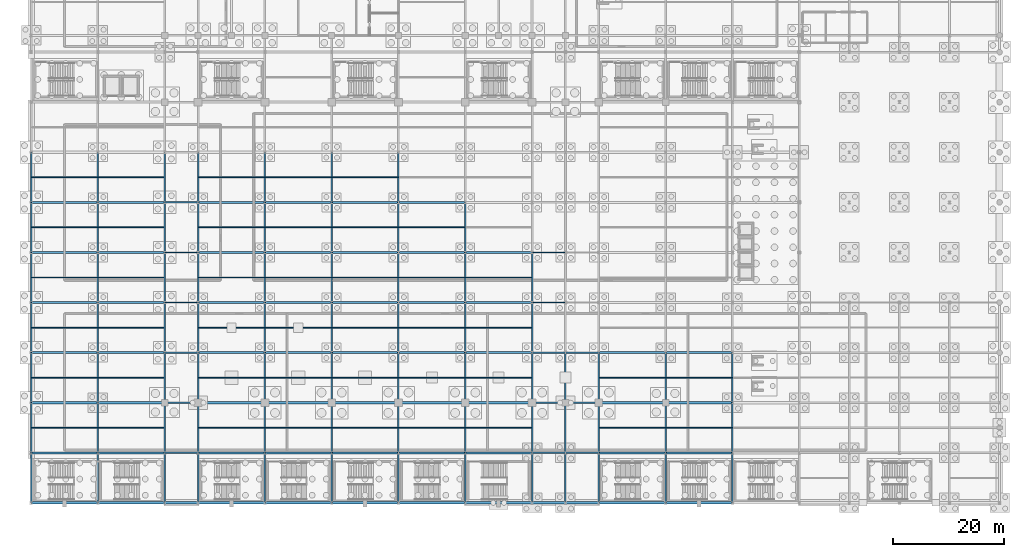
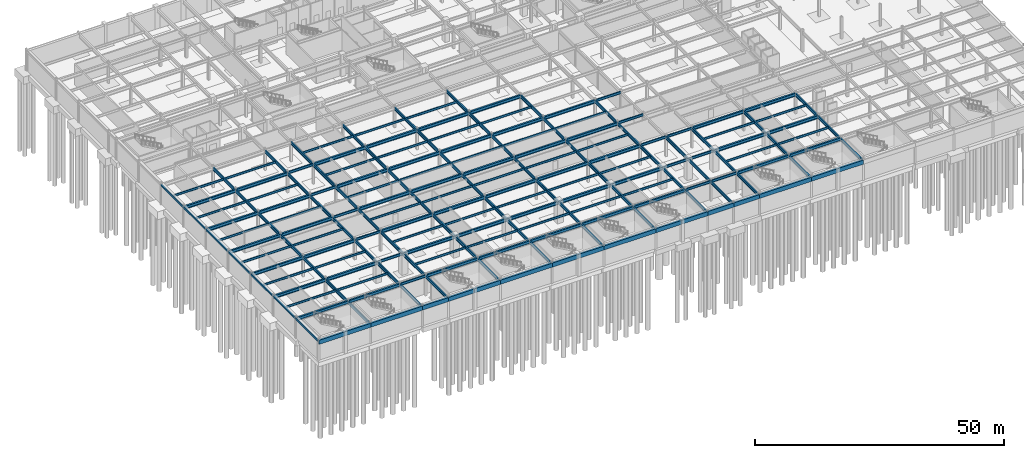
# One storey, part 18 of 47: 190 beams.
"""IFC4 building model written with IfcOpenShell, lengths in metres."""

import ifcopenshell
import ifcopenshell.guid

model = None  # the IFC model being written
_history = None  # IfcOwnerHistory: only IFC2X3 demands one
_inside = {}  # id of a spatial element -> (the spatial element, [elements in it])
_under = {}  # id of a project, library or spatial element -> (it, [spatial elements below it])
_declared = {}  # id of a project -> (the project, [libraries it declares])
_typed = {}  # id of a type object -> (the type object, [elements of that type])
_made_of = {}  # id of a material, layer set ... -> (it, [elements and type objects made of it])


def new_model(schema):
    """Start an empty IFC model of exactly this schema.

    Asked for "IFC4X3", IfcOpenShell would pick the latest addendum, in which some entities
    have other attributes; the version numbers below select the first issue.
    IFC2X3 requires an IfcOwnerHistory on every rooted entity: one is made here for all.
    """
    global model, _history
    if schema == "IFC4X3":
        model = ifcopenshell.file(schema_version=(4, 3, 0, 0))
    else:
        model = ifcopenshell.file(schema=schema)
    _inside.clear()
    _under.clear()
    _declared.clear()
    _typed.clear()
    _made_of.clear()
    _history = None
    if model.schema == "IFC2X3":
        org = make("IfcOrganization", Name="unknown")
        user = make(
            "IfcPersonAndOrganization",
            ThePerson=make("IfcPerson", FamilyName="unknown"),
            TheOrganization=org,
        )
        app = make(
            "IfcApplication",
            ApplicationDeveloper=org,
            Version="unknown",
            ApplicationFullName="unknown",
            ApplicationIdentifier="unknown",
        )
        _history = make(
            "IfcOwnerHistory",
            OwningUser=user,
            OwningApplication=app,
            ChangeAction="ADDED",
            CreationDate=0,
        )
    return model


def make(cls, **values):
    """One entity of the class cls with the attributes given. An attribute that is None is left unset."""
    return model.create_entity(
        cls, **{name: value for name, value in values.items() if value is not None}
    )


def rooted(cls, **values):
    """An entity with a GlobalId (a new one), such as an element, a storey or a relation."""
    return make(cls, GlobalId=ifcopenshell.guid.new(), OwnerHistory=_history, **values)


def si_unit(unit_type, name, prefix=None):
    """IfcSIUnit, for example si_unit("LENGTHUNIT", "METRE", prefix="MILLI")."""
    return make("IfcSIUnit", UnitType=unit_type, Prefix=prefix, Name=name)


def assignment(units):
    """IfcUnitAssignment: the units of a project."""
    return None if units is None else make("IfcUnitAssignment", Units=units)


def point(xyz):
    """IfcCartesianPoint."""
    return None if xyz is None else make("IfcCartesianPoint", Coordinates=xyz)


def direction(xyz):
    """IfcDirection."""
    return None if xyz is None else make("IfcDirection", DirectionRatios=xyz)


def frame(location, z_axis=None, x_axis=None):
    """IfcAxis2Placement3D, a coordinate frame: its origin and axes. An axis left out is left unset."""
    return make(
        "IfcAxis2Placement3D",
        Location=point(location),
        Axis=direction(z_axis),
        RefDirection=direction(x_axis),
    )


def frame_2d(location, x_axis=None):
    """IfcAxis2Placement2D, a coordinate frame in the plane: its origin and x axis."""
    return make(
        "IfcAxis2Placement2D", Location=point(location), RefDirection=direction(x_axis)
    )


def origin():
    """The frame at (0, 0, 0) with its axes left unset."""
    return frame((0.0, 0.0, 0.0))


def origin_2d():
    """The frame at (0, 0) in the plane with its x axis left unset."""
    return frame_2d((0.0, 0.0))


def place(relative_to, where):
    """IfcLocalPlacement: puts the frame where relative to a parent placement (None: the world)."""
    return make(
        "IfcLocalPlacement", PlacementRelTo=relative_to, RelativePlacement=where
    )


def context(
    kind, dimensions, precision=None, world=None, true_north=None, identifier=None
):
    """IfcGeometricRepresentationContext, for example the 3D "Model" context."""
    return make(
        "IfcGeometricRepresentationContext",
        ContextIdentifier=identifier,
        ContextType=kind,
        CoordinateSpaceDimension=dimensions,
        Precision=precision,
        WorldCoordinateSystem=world,
        TrueNorth=true_north,
    )


def subcontext(parent, identifier, kind, view, scale=None):
    """IfcGeometricRepresentationSubContext, for example "Body" below "Model"."""
    return make(
        "IfcGeometricRepresentationSubContext",
        ContextIdentifier=identifier,
        ContextType=kind,
        ParentContext=parent,
        TargetScale=scale,
        TargetView=view,
    )


def project(units=None, contexts=None):
    """IfcProject with its units and contexts."""
    return rooted(
        "IfcProject",
        Name="project",
        RepresentationContexts=contexts,
        UnitsInContext=assignment(units),
    )


def spatial(cls, under=None, at=None, **own):
    """A site, building, storey or space (cls), placed at a placement, below another one or the project."""
    s = rooted(cls, ObjectPlacement=at, **own)
    if under is not None:
        _under.setdefault(under.id(), (under, []))[1].append(s)
    return s


def profile(cls, at=None, kind="AREA", **sizes):
    """A parametric profile (cls). Its sizes go by their IFC names, for example OverallWidth=200.0."""
    return make(cls, ProfileType=kind, Position=at, **sizes)


def rectangle(**sizes):
    """IfcRectangleProfileDef."""
    return profile("IfcRectangleProfileDef", **sizes)


def hollow_rectangle(**sizes):
    """IfcRectangleHollowProfileDef."""
    return profile("IfcRectangleHollowProfileDef", **sizes)


def i_section(**sizes):
    """IfcIShapeProfileDef."""
    return profile("IfcIShapeProfileDef", **sizes)


def extrude(swept, where, along, depth):
    """IfcExtrudedAreaSolid: the profile swept, set in the frame where, extruded along a direction by depth."""
    return make(
        "IfcExtrudedAreaSolid",
        SweptArea=swept,
        Position=where,
        ExtrudedDirection=direction(along),
        Depth=depth,
    )


def shape(context_of_items, identifier, shape_type, items):
    """IfcShapeRepresentation: the items that make up one representation, for example the "Body"."""
    return make(
        "IfcShapeRepresentation",
        ContextOfItems=context_of_items,
        RepresentationIdentifier=identifier,
        RepresentationType=shape_type,
        Items=items,
    )


def material(Name=None, Category=None):
    """IfcMaterial."""
    return make("IfcMaterial", Name=Name, Category=Category)


def material_profile(
    of_material, cross_section, Name=None, Category=None, Priority=None
):
    """IfcMaterialProfile: a cross section and its material."""
    return make(
        "IfcMaterialProfile",
        Name=Name,
        Material=of_material,
        Profile=cross_section,
        Priority=Priority,
        Category=Category,
    )


def profile_set(profiles, Name=None, composite=None):
    """IfcMaterialProfileSet."""
    return make(
        "IfcMaterialProfileSet",
        Name=Name,
        MaterialProfiles=profiles,
        CompositeProfile=composite,
    )


def made_of(thing, what):
    """Note that an element or type object is made of a material, layer set ...; save() writes the relation."""
    if what is not None:
        _made_of.setdefault(what.id(), (what, []))[1].append(thing)
    return thing


def type_object(cls, material=None, **own):
    """A type object (cls), such as IfcWallType, which elements share."""
    return made_of(rooted(cls, **own), material)


def element(
    cls,
    number,
    at=None,
    inside=None,
    cuts=None,
    type_object=None,
    material=None,
    context=None,
    identifier="Body",
    shape_type=None,
    held_by="IfcProductDefinitionShape",
    body=None,
    shapes=None,
    **own,
):
    """One element of the class cls, such as IfcWall. Its Tag is "e" and its number.

    at: its placement. inside: the storey or other place that contains it. cuts: it is an
    opening in that element (IfcRelVoidsElement). A single representation is given by context,
    identifier, shape_type and body (its items); several are given by shapes. held_by: the class
    of the entity that holds the representations. save() writes the other relations.
    """
    e = rooted(cls, Tag="e%d" % number, ObjectPlacement=at, **own)
    if body is not None:
        shapes = [shape(context, identifier, shape_type, body)]
    if shapes is not None:
        e.Representation = make(held_by, Representations=shapes)
    if inside is not None:
        _inside.setdefault(inside.id(), (inside, []))[1].append(e)
    if cuts is not None:
        rooted(
            "IfcRelVoidsElement", RelatingBuildingElement=cuts, RelatedOpeningElement=e
        )
    if type_object is not None:
        _typed.setdefault(type_object.id(), (type_object, []))[1].append(e)
    return made_of(e, material)


def aggregate(whole, parts):
    """IfcRelAggregates: a whole, such as a stair, and the parts it consists of."""
    return rooted("IfcRelAggregates", RelatingObject=whole, RelatedObjects=parts)


def save(model, path):
    """Write the relations noted so far, then the file.

    IfcRelAggregates (storeys below a building ...), IfcRelContainedInSpatialStructure (elements
    in a storey), IfcRelDefinesByType, IfcRelAssociatesMaterial and IfcRelDeclares: one each for
    every whole, place, type object, material and project.
    """
    for whole, parts in _under.values():
        aggregate(whole, parts)
    for where, things in _inside.values():
        rooted(
            "IfcRelContainedInSpatialStructure",
            RelatedElements=things,
            RelatingStructure=where,
        )
    for kind, things in _typed.values():
        rooted("IfcRelDefinesByType", RelatedObjects=things, RelatingType=kind)
    for what, things in _made_of.values():
        rooted("IfcRelAssociatesMaterial", RelatedObjects=things, RelatingMaterial=what)
    for by, libraries in _declared.values():
        rooted("IfcRelDeclares", RelatingContext=by, RelatedDefinitions=libraries)
    model.write(path)


model = new_model("IFC4")

# Units and contexts
model_context = context("Model", 3, precision=1e-05, world=origin(), true_north=direction((0.0, 1.0)))
body_context = subcontext(model_context, "Body", "Model", "MODEL_VIEW")
ifc_project = project(units=[si_unit("LENGTHUNIT", "METRE"), si_unit("AREAUNIT", "SQUARE_METRE"), si_unit("VOLUMEUNIT", "CUBIC_METRE"), si_unit("PLANEANGLEUNIT", "RADIAN"), si_unit("MASSUNIT", "GRAM", prefix="KILO")], contexts=[model_context])

# Site, building, storey
site_placement = place(None, origin())
site = spatial("IfcSite", under=ifc_project, at=site_placement, CompositionType="ELEMENT")
building_placement = place(site_placement, origin())
building = spatial("IfcBuilding", under=site, at=building_placement, Name="Kaldorvane Square Convention Centre", CompositionType="ELEMENT")
storey_placement = place(building_placement, frame((0.0, 0.0, -5.399993896484375)))
storey = spatial("IfcBuildingStorey", under=building, at=storey_placement, Name="B01", CompositionType="ELEMENT", Elevation=-5.399993896484375)

# Beams
ifc_material_1 = material(Name="Steel ASTM A992 Gr. 50", Category="steel")
ifc_material_profile_1 = material_profile(ifc_material_1, i_section(OverallWidth=0.2303009033203125, OverallDepth=0.61749267578125, WebThickness=0.0131072998046875, FlangeThickness=0.0222015380859375, FilletRadius=0.0126953125, at=origin_2d()), Name="W24X94")
ifc_profile_set_1 = profile_set([ifc_material_profile_1], Name="Steel ASTM A992 Gr. 50")
beam_type_1 = type_object("IfcBeamType", Name="BM-GR-W24X94", PredefinedType="BEAM", material=ifc_profile_set_1)
for number, where, z_axis, x_axis, name in (
    (1, (24.0, 9.0, 4.7072906494140625), (1.0, 0.0, 0.0), (0.0, 1.0, 0.0), "Primary Girder (B01)"),
    (2, (90.0, 9.0, 4.7072906494140625), (1.0, 0.0, 0.0), (0.0, 1.0, 0.0), "Primary Girder (B01)"),
    (3, (96.0, 9.0, 4.7072906494140625), (1.0, 0.0, 0.0), (0.0, 1.0, 0.0), "Primary Girder (B01)"),
    (4, (24.0, 18.0, 4.7072906494140625), (1.0, 0.0, 0.0), (0.0, 1.0, 0.0), "Primary Girder (B01)"),
    (5, (90.0, 18.0, 4.7072906494140625), (1.0, 0.0, 0.0), (0.0, 1.0, 0.0), "Primary Girder (B01)"),
    (6, (96.0, 18.0, 4.7072906494140625), (1.0, 0.0, 0.0), (0.0, 1.0, 0.0), "Primary Girder (B01)"),
    (7, (24.0, 27.0, 4.7072906494140625), (1.0, 0.0, 0.0), (0.0, 1.0, 0.0), "Primary Girder (B01)"),
    (8, (90.0, 27.0, 4.7072906494140625), (1.0, 0.0, 0.0), (0.0, 1.0, 0.0), "Primary Girder (B01)"),
    (9, (96.0, 27.0, 4.7072906494140625), (1.0, 0.0, 0.0), (0.0, 1.0, 0.0), "Primary Girder (B01)"),
    (10, (24.0, 36.0, 4.7072906494140625), (1.0, 0.0, 0.0), (0.0, 1.0, 0.0), "Primary Girder (B01)"),
    (11, (90.0, 36.0, 4.7072906494140625), (1.0, 0.0, 0.0), (0.0, 1.0, 0.0), "Primary Girder (B01)"),
    (12, (24.0, 45.0, 4.7072906494140625), (1.0, 0.0, 0.0), (0.0, 1.0, 0.0), "Primary Girder (B01)"),
    (13, (90.0, 45.0, 4.7072906494140625), (1.0, 0.0, 0.0), (0.0, 1.0, 0.0), "Primary Girder (B01)"),
    (14, (24.0, 54.0, 4.7072906494140625), (1.0, 0.0, 0.0), (0.0, 1.0, 0.0), "Primary Girder (B01)"),
):
    element("IfcBeam", number, at=place(storey_placement, frame(where, z_axis=z_axis, x_axis=x_axis)), inside=storey, type_object=beam_type_1, Name=name, PredefinedType="BEAM", context=body_context, shape_type="SweptSolid", body=[
        extrude(i_section(OverallWidth=0.2303009033203125, OverallDepth=0.61749267578125, WebThickness=0.0131072998046875, FlangeThickness=0.0222015380859375, FilletRadius=0.0126953125, at=origin_2d()), origin(), (0.0, 0.0, 1.0), 6.0),
    ])
ifc_material_profile_2 = material_profile(ifc_material_1, i_section(OverallWidth=0.2666015625, OverallDepth=0.762298583984375, WebThickness=0.014404296875, FlangeThickness=0.0216064453125, FilletRadius=0.0164947509765625, at=origin_2d()), Name="W30X116")
ifc_profile_set_2 = profile_set([ifc_material_profile_2], Name="Steel ASTM A992 Gr. 50")
beam_type_2 = type_object("IfcBeamType", Name="BM-GR-W30X116", PredefinedType="BEAM", material=ifc_profile_set_2)
for number, where, z_axis, x_axis, name in (
    (15, (12.0, 0.0, 4.6348876953125), (0.0, 1.0, 0.0), (-1.0, 0.0, 0.0), "Transverse Girder (B01)"),
    (16, (12.0, 9.0, 4.6348876953125), (0.0, 1.0, 0.0), (-1.0, 0.0, 0.0), "Transverse Girder (B01)"),
    (17, (12.0, 18.0, 4.59478759765625), (0.0, 1.0, 0.0), (-1.0, 0.0, 0.0), "Transverse Girder (B01)"),
    (18, (12.0, 27.0, 4.59478759765625), (0.0, 1.0, 0.0), (-1.0, 0.0, 0.0), "Transverse Girder (B01)"),
    (19, (12.0, 36.0, 4.59478759765625), (0.0, 1.0, 0.0), (-1.0, 0.0, 0.0), "Transverse Girder (B01)"),
    (20, (12.0, 45.0, 4.59478759765625), (0.0, 1.0, 0.0), (-1.0, 0.0, 0.0), "Transverse Girder (B01)"),
    (21, (12.0, 54.0, 4.59478759765625), (0.0, 1.0, 0.0), (-1.0, 0.0, 0.0), "Transverse Girder (B01)"),
    (22, (24.0, 0.0, 4.6348876953125), (0.0, 1.0, 0.0), (-1.0, 0.0, 0.0), "Transverse Girder (B01)"),
    (23, (24.0, 9.0, 4.6348876953125), (0.0, 1.0, 0.0), (-1.0, 0.0, 0.0), "Transverse Girder (B01)"),
    (24, (24.0, 18.0, 4.59478759765625), (0.0, 1.0, 0.0), (-1.0, 0.0, 0.0), "Transverse Girder (B01)"),
    (25, (24.0, 27.0, 4.59478759765625), (0.0, 1.0, 0.0), (-1.0, 0.0, 0.0), "Transverse Girder (B01)"),
    (26, (24.0, 36.0, 4.59478759765625), (0.0, 1.0, 0.0), (-1.0, 0.0, 0.0), "Transverse Girder (B01)"),
    (27, (24.0, 45.0, 4.59478759765625), (0.0, 1.0, 0.0), (-1.0, 0.0, 0.0), "Transverse Girder (B01)"),
    (28, (24.0, 54.0, 4.59478759765625), (0.0, 1.0, 0.0), (-1.0, 0.0, 0.0), "Transverse Girder (B01)"),
    (29, (30.0, 0.0, 4.6348876953125), (0.0, 1.0, 0.0), (-1.0, 0.0, 0.0), "Transverse Girder (B01)"),
    (30, (30.0, 9.0, 4.6348876953125), (0.0, 1.0, 0.0), (-1.0, 0.0, 0.0), "Transverse Girder (B01)"),
    (31, (30.0, 18.0, 4.6348876953125), (0.0, 1.0, 0.0), (-1.0, 0.0, 0.0), "Transverse Girder (B01)"),
    (32, (30.0, 27.0, 4.6348876953125), (0.0, 1.0, 0.0), (-1.0, 0.0, 0.0), "Transverse Girder (B01)"),
    (33, (30.0, 36.0, 4.6348876953125), (0.0, 1.0, 0.0), (-1.0, 0.0, 0.0), "Transverse Girder (B01)"),
    (34, (30.0, 45.0, 4.6348876953125), (0.0, 1.0, 0.0), (-1.0, 0.0, 0.0), "Transverse Girder (B01)"),
    (35, (30.0, 54.0, 4.6348876953125), (0.0, 1.0, 0.0), (-1.0, 0.0, 0.0), "Transverse Girder (B01)"),
    (36, (42.0, 0.0, 4.6348876953125), (0.0, 1.0, 0.0), (-1.0, 0.0, 0.0), "Transverse Girder (B01)"),
    (37, (42.0, 9.0, 4.6348876953125), (0.0, 1.0, 0.0), (-1.0, 0.0, 0.0), "Transverse Girder (B01)"),
    (38, (42.0, 18.0, 4.6348876953125), (0.0, 1.0, 0.0), (-1.0, 0.0, 0.0), "Transverse Girder (B01)"),
    (39, (42.0, 27.0, 4.6348876953125), (0.0, 1.0, 0.0), (-1.0, 0.0, 0.0), "Transverse Girder (B01)"),
    (40, (42.0, 36.0, 4.6348876953125), (0.0, 1.0, 0.0), (-1.0, 0.0, 0.0), "Transverse Girder (B01)"),
    (41, (42.0, 45.0, 4.6348876953125), (0.0, 1.0, 0.0), (-1.0, 0.0, 0.0), "Transverse Girder (B01)"),
    (42, (42.0, 54.0, 4.6348876953125), (0.0, 1.0, 0.0), (-1.0, 0.0, 0.0), "Transverse Girder (B01)"),
    (43, (54.0, 0.0, 4.6348876953125), (0.0, 1.0, 0.0), (-1.0, 0.0, 0.0), "Transverse Girder (B01)"),
    (44, (54.0, 9.0, 4.6348876953125), (0.0, 1.0, 0.0), (-1.0, 0.0, 0.0), "Transverse Girder (B01)"),
    (45, (54.0, 18.0, 4.6348876953125), (0.0, 1.0, 0.0), (-1.0, 0.0, 0.0), "Transverse Girder (B01)"),
    (46, (54.0, 27.0, 4.6348876953125), (0.0, 1.0, 0.0), (-1.0, 0.0, 0.0), "Transverse Girder (B01)"),
    (47, (54.0, 36.0, 4.6348876953125), (0.0, 1.0, 0.0), (-1.0, 0.0, 0.0), "Transverse Girder (B01)"),
    (48, (54.0, 45.0, 4.6348876953125), (0.0, 1.0, 0.0), (-1.0, 0.0, 0.0), "Transverse Girder (B01)"),
    (49, (54.0, 54.0, 4.6348876953125), (0.0, 1.0, 0.0), (-1.0, 0.0, 0.0), "Transverse Girder (B01)"),
    (50, (66.0, 0.0, 4.6348876953125), (0.0, 1.0, 0.0), (-1.0, 0.0, 0.0), "Transverse Girder (B01)"),
    (51, (66.0, 9.0, 4.6348876953125), (0.0, 1.0, 0.0), (-1.0, 0.0, 0.0), "Transverse Girder (B01)"),
    (52, (66.0, 18.0, 4.6348876953125), (0.0, 1.0, 0.0), (-1.0, 0.0, 0.0), "Transverse Girder (B01)"),
    (53, (66.0, 27.0, 4.6348876953125), (0.0, 1.0, 0.0), (-1.0, 0.0, 0.0), "Transverse Girder (B01)"),
    (54, (66.0, 36.0, 4.6348876953125), (0.0, 1.0, 0.0), (-1.0, 0.0, 0.0), "Transverse Girder (B01)"),
    (55, (66.0, 45.0, 4.6348876953125), (0.0, 1.0, 0.0), (-1.0, 0.0, 0.0), "Transverse Girder (B01)"),
    (56, (66.0, 54.0, 4.6348876953125), (0.0, 1.0, 0.0), (-1.0, 0.0, 0.0), "Transverse Girder (B01)"),
    (57, (78.0, 0.0, 4.6348876953125), (0.0, 1.0, 0.0), (-1.0, 0.0, 0.0), "Transverse Girder (B01)"),
    (58, (78.0, 9.0, 4.6348876953125), (0.0, 1.0, 0.0), (-1.0, 0.0, 0.0), "Transverse Girder (B01)"),
    (59, (78.0, 18.0, 4.6348876953125), (0.0, 1.0, 0.0), (-1.0, 0.0, 0.0), "Transverse Girder (B01)"),
    (60, (78.0, 27.0, 4.6348876953125), (0.0, 1.0, 0.0), (-1.0, 0.0, 0.0), "Transverse Girder (B01)"),
    (61, (78.0, 36.0, 4.6348876953125), (0.0, 1.0, 0.0), (-1.0, 0.0, 0.0), "Transverse Girder (B01)"),
    (62, (78.0, 45.0, 4.6348876953125), (0.0, 1.0, 0.0), (-1.0, 0.0, 0.0), "Transverse Girder (B01)"),
    (63, (90.0, 0.0, 4.6348876953125), (0.0, 1.0, 0.0), (-1.0, 0.0, 0.0), "Transverse Girder (B01)"),
    (64, (90.0, 9.0, 4.6348876953125), (0.0, 1.0, 0.0), (-1.0, 0.0, 0.0), "Transverse Girder (B01)"),
    (65, (90.0, 18.0, 4.6348876953125), (0.0, 1.0, 0.0), (-1.0, 0.0, 0.0), "Transverse Girder (B01)"),
    (66, (90.0, 27.0, 4.6348876953125), (0.0, 1.0, 0.0), (-1.0, 0.0, 0.0), "Transverse Girder (B01)"),
    (67, (90.0, 36.0, 4.6348876953125), (0.0, 1.0, 0.0), (-1.0, 0.0, 0.0), "Transverse Girder (B01)"),
    (68, (96.0, 0.0, 4.6348876953125), (0.0, 1.0, 0.0), (-1.0, 0.0, 0.0), "Transverse Girder (B01)"),
    (69, (96.0, 9.0, 4.6348876953125), (0.0, 1.0, 0.0), (-1.0, 0.0, 0.0), "Transverse Girder (B01)"),
    (70, (96.0, 18.0, 4.6348876953125), (0.0, 1.0, 0.0), (-1.0, 0.0, 0.0), "Transverse Girder (B01)"),
    (71, (102.0, 0.0, 4.6348876953125), (0.0, 1.0, 0.0), (-1.0, 0.0, 0.0), "Transverse Girder (B01)"),
    (72, (102.0, 9.0, 4.6348876953125), (0.0, 1.0, 0.0), (-1.0, 0.0, 0.0), "Transverse Girder (B01)"),
    (73, (102.0, 18.0, 4.6348876953125), (0.0, 1.0, 0.0), (-1.0, 0.0, 0.0), "Transverse Girder (B01)"),
    (74, (114.0, 0.0, 4.6348876953125), (0.0, 1.0, 0.0), (-1.0, 0.0, 0.0), "Transverse Girder (B01)"),
    (75, (114.0, 9.0, 4.6348876953125), (0.0, 1.0, 0.0), (-1.0, 0.0, 0.0), "Transverse Girder (B01)"),
    (76, (114.0, 18.0, 4.6348876953125), (0.0, 1.0, 0.0), (-1.0, 0.0, 0.0), "Transverse Girder (B01)"),
    (77, (126.0, 0.0, 4.6348876953125), (0.0, 1.0, 0.0), (-1.0, 0.0, 0.0), "Transverse Girder (B01)"),
    (78, (126.0, 9.0, 4.6348876953125), (0.0, 1.0, 0.0), (-1.0, 0.0, 0.0), "Transverse Girder (B01)"),
    (79, (126.0, 18.0, 4.6348876953125), (0.0, 1.0, 0.0), (-1.0, 0.0, 0.0), "Transverse Girder (B01)"),
):
    element("IfcBeam", number, at=place(storey_placement, frame(where, z_axis=z_axis, x_axis=x_axis)), inside=storey, type_object=beam_type_2, Name=name, PredefinedType="BEAM", context=body_context, shape_type="SweptSolid", body=[
        extrude(i_section(OverallWidth=0.2666015625, OverallDepth=0.762298583984375, WebThickness=0.014404296875, FlangeThickness=0.0216064453125, FilletRadius=0.0164947509765625, at=origin_2d()), origin(), (0.0, 0.0, 1.0), 9.0),
    ])
ifc_material_profile_3 = material_profile(ifc_material_1, i_section(OverallWidth=0.380706787109375, OverallDepth=0.773193359375, WebThickness=0.0166015625, FlangeThickness=0.027099609375, FilletRadius=0.0164947509765625, at=origin_2d()), Name="W30X173")
ifc_profile_set_3 = profile_set([ifc_material_profile_3], Name="Steel ASTM A992 Gr. 50")
beam_type_3 = type_object("IfcBeamType", Name="BM-GR-W30X173", PredefinedType="BEAM", material=ifc_profile_set_3)
for number, where, z_axis, x_axis, name in (
    (80, (0.0, 9.0, 4.62939453125), (1.0, 0.0, 0.0), (0.0, 1.0, 0.0), "Primary Girder (B01)"),
    (81, (12.0, 9.0, 4.62939453125), (1.0, 0.0, 0.0), (0.0, 1.0, 0.0), "Primary Girder (B01)"),
    (82, (30.0, 9.0, 4.62939453125), (1.0, 0.0, 0.0), (0.0, 1.0, 0.0), "Primary Girder (B01)"),
    (83, (42.0, 9.0, 4.62939453125), (1.0, 0.0, 0.0), (0.0, 1.0, 0.0), "Primary Girder (B01)"),
    (84, (54.0, 9.0, 4.62939453125), (1.0, 0.0, 0.0), (0.0, 1.0, 0.0), "Primary Girder (B01)"),
    (85, (66.0, 9.0, 4.62939453125), (1.0, 0.0, 0.0), (0.0, 1.0, 0.0), "Primary Girder (B01)"),
    (86, (78.0, 9.0, 4.62939453125), (1.0, 0.0, 0.0), (0.0, 1.0, 0.0), "Primary Girder (B01)"),
    (87, (102.0, 9.0, 4.62939453125), (1.0, 0.0, 0.0), (0.0, 1.0, 0.0), "Primary Girder (B01)"),
    (88, (114.0, 9.0, 4.62939453125), (1.0, 0.0, 0.0), (0.0, 1.0, 0.0), "Primary Girder (B01)"),
    (89, (0.0, 18.0, 4.5894012451171875), (1.0, 0.0, 0.0), (0.0, 1.0, 0.0), "Primary Girder (B01)"),
    (90, (12.0, 18.0, 4.5894012451171875), (1.0, 0.0, 0.0), (0.0, 1.0, 0.0), "Primary Girder (B01)"),
    (91, (30.0, 18.0, 4.62939453125), (1.0, 0.0, 0.0), (0.0, 1.0, 0.0), "Primary Girder (B01)"),
    (92, (42.0, 18.0, 4.62939453125), (1.0, 0.0, 0.0), (0.0, 1.0, 0.0), "Primary Girder (B01)"),
    (93, (54.0, 18.0, 4.62939453125), (1.0, 0.0, 0.0), (0.0, 1.0, 0.0), "Primary Girder (B01)"),
    (94, (66.0, 18.0, 4.62939453125), (1.0, 0.0, 0.0), (0.0, 1.0, 0.0), "Primary Girder (B01)"),
    (95, (78.0, 18.0, 4.62939453125), (1.0, 0.0, 0.0), (0.0, 1.0, 0.0), "Primary Girder (B01)"),
    (96, (102.0, 18.0, 4.62939453125), (1.0, 0.0, 0.0), (0.0, 1.0, 0.0), "Primary Girder (B01)"),
    (97, (114.0, 18.0, 4.62939453125), (1.0, 0.0, 0.0), (0.0, 1.0, 0.0), "Primary Girder (B01)"),
    (98, (0.0, 27.0, 4.5894012451171875), (1.0, 0.0, 0.0), (0.0, 1.0, 0.0), "Primary Girder (B01)"),
    (99, (12.0, 27.0, 4.5894012451171875), (1.0, 0.0, 0.0), (0.0, 1.0, 0.0), "Primary Girder (B01)"),
    (100, (30.0, 27.0, 4.62939453125), (1.0, 0.0, 0.0), (0.0, 1.0, 0.0), "Primary Girder (B01)"),
    (101, (42.0, 27.0, 4.62939453125), (1.0, 0.0, 0.0), (0.0, 1.0, 0.0), "Primary Girder (B01)"),
    (102, (54.0, 27.0, 4.62939453125), (1.0, 0.0, 0.0), (0.0, 1.0, 0.0), "Primary Girder (B01)"),
    (103, (66.0, 27.0, 4.62939453125), (1.0, 0.0, 0.0), (0.0, 1.0, 0.0), "Primary Girder (B01)"),
    (104, (78.0, 27.0, 4.62939453125), (1.0, 0.0, 0.0), (0.0, 1.0, 0.0), "Primary Girder (B01)"),
    (105, (102.0, 27.0, 4.62939453125), (1.0, 0.0, 0.0), (0.0, 1.0, 0.0), "Primary Girder (B01)"),
    (106, (114.0, 27.0, 4.62939453125), (1.0, 0.0, 0.0), (0.0, 1.0, 0.0), "Primary Girder (B01)"),
    (107, (0.0, 36.0, 4.5894012451171875), (1.0, 0.0, 0.0), (0.0, 1.0, 0.0), "Primary Girder (B01)"),
    (108, (12.0, 36.0, 4.5894012451171875), (1.0, 0.0, 0.0), (0.0, 1.0, 0.0), "Primary Girder (B01)"),
    (109, (30.0, 36.0, 4.62939453125), (1.0, 0.0, 0.0), (0.0, 1.0, 0.0), "Primary Girder (B01)"),
    (110, (42.0, 36.0, 4.62939453125), (1.0, 0.0, 0.0), (0.0, 1.0, 0.0), "Primary Girder (B01)"),
    (111, (54.0, 36.0, 4.62939453125), (1.0, 0.0, 0.0), (0.0, 1.0, 0.0), "Primary Girder (B01)"),
    (112, (66.0, 36.0, 4.62939453125), (1.0, 0.0, 0.0), (0.0, 1.0, 0.0), "Primary Girder (B01)"),
    (113, (78.0, 36.0, 4.62939453125), (1.0, 0.0, 0.0), (0.0, 1.0, 0.0), "Primary Girder (B01)"),
    (114, (0.0, 45.0, 4.5894012451171875), (1.0, 0.0, 0.0), (0.0, 1.0, 0.0), "Primary Girder (B01)"),
    (115, (12.0, 45.0, 4.5894012451171875), (1.0, 0.0, 0.0), (0.0, 1.0, 0.0), "Primary Girder (B01)"),
    (116, (30.0, 45.0, 4.62939453125), (1.0, 0.0, 0.0), (0.0, 1.0, 0.0), "Primary Girder (B01)"),
    (117, (42.0, 45.0, 4.62939453125), (1.0, 0.0, 0.0), (0.0, 1.0, 0.0), "Primary Girder (B01)"),
    (118, (54.0, 45.0, 4.62939453125), (1.0, 0.0, 0.0), (0.0, 1.0, 0.0), "Primary Girder (B01)"),
    (119, (66.0, 45.0, 4.62939453125), (1.0, 0.0, 0.0), (0.0, 1.0, 0.0), "Primary Girder (B01)"),
    (120, (78.0, 45.0, 4.62939453125), (1.0, 0.0, 0.0), (0.0, 1.0, 0.0), "Primary Girder (B01)"),
    (121, (0.0, 54.0, 4.5894012451171875), (1.0, 0.0, 0.0), (0.0, 1.0, 0.0), "Primary Girder (B01)"),
    (122, (12.0, 54.0, 4.5894012451171875), (1.0, 0.0, 0.0), (0.0, 1.0, 0.0), "Primary Girder (B01)"),
    (123, (30.0, 54.0, 4.62939453125), (1.0, 0.0, 0.0), (0.0, 1.0, 0.0), "Primary Girder (B01)"),
    (124, (42.0, 54.0, 4.62939453125), (1.0, 0.0, 0.0), (0.0, 1.0, 0.0), "Primary Girder (B01)"),
    (125, (54.0, 54.0, 4.62939453125), (1.0, 0.0, 0.0), (0.0, 1.0, 0.0), "Primary Girder (B01)"),
    (126, (66.0, 54.0, 4.62939453125), (1.0, 0.0, 0.0), (0.0, 1.0, 0.0), "Primary Girder (B01)"),
):
    element("IfcBeam", number, at=place(storey_placement, frame(where, z_axis=z_axis, x_axis=x_axis)), inside=storey, type_object=beam_type_3, Name=name, PredefinedType="BEAM", context=body_context, shape_type="SweptSolid", body=[
        extrude(i_section(OverallWidth=0.380706787109375, OverallDepth=0.773193359375, WebThickness=0.0166015625, FlangeThickness=0.027099609375, FilletRadius=0.0164947509765625, at=origin_2d()), origin(), (0.0, 0.0, 1.0), 12.0),
    ])
ifc_material_profile_4 = material_profile(ifc_material_1, i_section(OverallWidth=0.1658935546875, OverallDepth=0.5290985107421875, WebThickness=0.00970458984375, FlangeThickness=0.0135955810546875, FilletRadius=0.0126953125, at=origin_2d()), Name="W21X50")
ifc_profile_set_4 = profile_set([ifc_material_profile_4], Name="Steel ASTM A992 Gr. 50")
beam_type_4 = type_object("IfcBeamType", Name="BM-JS-W21X50", PredefinedType="JOIST", material=ifc_profile_set_4)
beam_1_placement = place(storey_placement, frame((0.15240478515625, 13.5, 4.751495361328125), z_axis=(1.0, 0.0, 0.0), x_axis=(0.0, 1.0, 0.0)))
element("IfcBeam", 127, at=beam_1_placement, inside=storey, type_object=beam_type_4, Name="Secondary Floor Joist (B01)", PredefinedType="JOIST", context=body_context, shape_type="SweptSolid", body=[
    extrude(i_section(OverallWidth=0.1658935546875, OverallDepth=0.5290985107421875, WebThickness=0.00970458984375, FlangeThickness=0.0135955810546875, FilletRadius=0.0126953125, at=origin_2d()), origin(), (0.0, 0.0, 1.0), 11.71429443359375),
])
for number, where, z_axis, x_axis, name in (
    (128, (12.13330078125, 13.5, 4.751495361328125), (1.0, 0.0, 0.0), (0.0, 1.0, 0.0), "Secondary Floor Joist (B01)"),
    (129, (30.13330078125, 13.5, 4.751495361328125), (1.0, 0.0, 0.0), (0.0, 1.0, 0.0), "Secondary Floor Joist (B01)"),
    (130, (42.13330078125, 13.5, 4.751495361328125), (1.0, 0.0, 0.0), (0.0, 1.0, 0.0), "Secondary Floor Joist (B01)"),
    (131, (54.13330078125, 13.5, 4.751495361328125), (1.0, 0.0, 0.0), (0.0, 1.0, 0.0), "Secondary Floor Joist (B01)"),
    (132, (66.13330078125, 13.5, 4.751495361328125), (1.0, 0.0, 0.0), (0.0, 1.0, 0.0), "Secondary Floor Joist (B01)"),
    (133, (78.13330078125, 13.5, 4.751495361328125), (1.0, 0.0, 0.0), (0.0, 1.0, 0.0), "Secondary Floor Joist (B01)"),
    (134, (102.13330078125, 13.5, 4.751495361328125), (1.0, 0.0, 0.0), (0.0, 1.0, 0.0), "Secondary Floor Joist (B01)"),
    (135, (114.13330078125, 13.5, 4.751495361328125), (1.0, 0.0, 0.0), (0.0, 1.0, 0.0), "Secondary Floor Joist (B01)"),
):
    element("IfcBeam", number, at=place(storey_placement, frame(where, z_axis=z_axis, x_axis=x_axis)), inside=storey, type_object=beam_type_4, Name=name, PredefinedType="JOIST", context=body_context, shape_type="SweptSolid", body=[
        extrude(i_section(OverallWidth=0.1658935546875, OverallDepth=0.5290985107421875, WebThickness=0.00970458984375, FlangeThickness=0.0135955810546875, FilletRadius=0.0126953125, at=origin_2d()), origin(), (0.0, 0.0, 1.0), 11.7333984375),
    ])
beam_2_placement = place(storey_placement, frame((0.15240478515625, 22.5, 4.71148681640625), z_axis=(1.0, 0.0, 0.0), x_axis=(0.0, 1.0, 0.0)))
element("IfcBeam", 136, at=beam_2_placement, inside=storey, type_object=beam_type_4, Name="Secondary Floor Joist (B01)", PredefinedType="JOIST", context=body_context, shape_type="SweptSolid", body=[
    extrude(i_section(OverallWidth=0.1658935546875, OverallDepth=0.5290985107421875, WebThickness=0.00970458984375, FlangeThickness=0.0135955810546875, FilletRadius=0.0126953125, at=origin_2d()), origin(), (0.0, 0.0, 1.0), 11.71429443359375),
])
for number, where, z_axis, x_axis, name in (
    (137, (12.13330078125, 22.5, 4.71148681640625), (1.0, 0.0, 0.0), (0.0, 1.0, 0.0), "Secondary Floor Joist (B01)"),
    (138, (30.13330078125, 22.5, 4.751495361328125), (1.0, 0.0, 0.0), (0.0, 1.0, 0.0), "Secondary Floor Joist (B01)"),
    (139, (42.13330078125, 22.5, 4.751495361328125), (1.0, 0.0, 0.0), (0.0, 1.0, 0.0), "Secondary Floor Joist (B01)"),
    (140, (54.13330078125, 22.5, 4.751495361328125), (1.0, 0.0, 0.0), (0.0, 1.0, 0.0), "Secondary Floor Joist (B01)"),
    (141, (66.13330078125, 22.5, 4.751495361328125), (1.0, 0.0, 0.0), (0.0, 1.0, 0.0), "Secondary Floor Joist (B01)"),
    (142, (78.13330078125, 22.5, 4.751495361328125), (1.0, 0.0, 0.0), (0.0, 1.0, 0.0), "Secondary Floor Joist (B01)"),
    (143, (102.13330078125, 22.5, 4.751495361328125), (1.0, 0.0, 0.0), (0.0, 1.0, 0.0), "Secondary Floor Joist (B01)"),
    (144, (114.13330078125, 22.5, 4.751495361328125), (1.0, 0.0, 0.0), (0.0, 1.0, 0.0), "Secondary Floor Joist (B01)"),
):
    element("IfcBeam", number, at=place(storey_placement, frame(where, z_axis=z_axis, x_axis=x_axis)), inside=storey, type_object=beam_type_4, Name=name, PredefinedType="JOIST", context=body_context, shape_type="SweptSolid", body=[
        extrude(i_section(OverallWidth=0.1658935546875, OverallDepth=0.5290985107421875, WebThickness=0.00970458984375, FlangeThickness=0.0135955810546875, FilletRadius=0.0126953125, at=origin_2d()), origin(), (0.0, 0.0, 1.0), 11.7333984375),
    ])
beam_3_placement = place(storey_placement, frame((0.15240478515625, 31.5, 4.71148681640625), z_axis=(1.0, 0.0, 0.0), x_axis=(0.0, 1.0, 0.0)))
element("IfcBeam", 145, at=beam_3_placement, inside=storey, type_object=beam_type_4, Name="Secondary Floor Joist (B01)", PredefinedType="JOIST", context=body_context, shape_type="SweptSolid", body=[
    extrude(i_section(OverallWidth=0.1658935546875, OverallDepth=0.5290985107421875, WebThickness=0.00970458984375, FlangeThickness=0.0135955810546875, FilletRadius=0.0126953125, at=origin_2d()), origin(), (0.0, 0.0, 1.0), 11.71429443359375),
])
for number, where, z_axis, x_axis, name in (
    (146, (12.13330078125, 31.5, 4.71148681640625), (1.0, 0.0, 0.0), (0.0, 1.0, 0.0), "Secondary Floor Joist (B01)"),
    (147, (30.13330078125, 31.5, 4.751495361328125), (1.0, 0.0, 0.0), (0.0, 1.0, 0.0), "Secondary Floor Joist (B01)"),
    (148, (42.13330078125, 31.5, 4.751495361328125), (1.0, 0.0, 0.0), (0.0, 1.0, 0.0), "Secondary Floor Joist (B01)"),
    (149, (54.13330078125, 31.5, 4.751495361328125), (1.0, 0.0, 0.0), (0.0, 1.0, 0.0), "Secondary Floor Joist (B01)"),
    (150, (66.13330078125, 31.5, 4.751495361328125), (1.0, 0.0, 0.0), (0.0, 1.0, 0.0), "Secondary Floor Joist (B01)"),
    (151, (78.13330078125, 31.5, 4.751495361328125), (1.0, 0.0, 0.0), (0.0, 1.0, 0.0), "Secondary Floor Joist (B01)"),
):
    element("IfcBeam", number, at=place(storey_placement, frame(where, z_axis=z_axis, x_axis=x_axis)), inside=storey, type_object=beam_type_4, Name=name, PredefinedType="JOIST", context=body_context, shape_type="SweptSolid", body=[
        extrude(i_section(OverallWidth=0.1658935546875, OverallDepth=0.5290985107421875, WebThickness=0.00970458984375, FlangeThickness=0.0135955810546875, FilletRadius=0.0126953125, at=origin_2d()), origin(), (0.0, 0.0, 1.0), 11.7333984375),
    ])
beam_4_placement = place(storey_placement, frame((0.15240478515625, 40.5, 4.71148681640625), z_axis=(1.0, 0.0, 0.0), x_axis=(0.0, 1.0, 0.0)))
element("IfcBeam", 152, at=beam_4_placement, inside=storey, type_object=beam_type_4, Name="Secondary Floor Joist (B01)", PredefinedType="JOIST", context=body_context, shape_type="SweptSolid", body=[
    extrude(i_section(OverallWidth=0.1658935546875, OverallDepth=0.5290985107421875, WebThickness=0.00970458984375, FlangeThickness=0.0135955810546875, FilletRadius=0.0126953125, at=origin_2d()), origin(), (0.0, 0.0, 1.0), 11.71429443359375),
])
for number, where, z_axis, x_axis, name in (
    (153, (12.13330078125, 40.5, 4.71148681640625), (1.0, 0.0, 0.0), (0.0, 1.0, 0.0), "Secondary Floor Joist (B01)"),
    (154, (30.13330078125, 40.5, 4.751495361328125), (1.0, 0.0, 0.0), (0.0, 1.0, 0.0), "Secondary Floor Joist (B01)"),
    (155, (42.13330078125, 40.5, 4.751495361328125), (1.0, 0.0, 0.0), (0.0, 1.0, 0.0), "Secondary Floor Joist (B01)"),
    (156, (54.13330078125, 40.5, 4.751495361328125), (1.0, 0.0, 0.0), (0.0, 1.0, 0.0), "Secondary Floor Joist (B01)"),
    (157, (66.13330078125, 40.5, 4.751495361328125), (1.0, 0.0, 0.0), (0.0, 1.0, 0.0), "Secondary Floor Joist (B01)"),
    (158, (78.13330078125, 40.5, 4.751495361328125), (1.0, 0.0, 0.0), (0.0, 1.0, 0.0), "Secondary Floor Joist (B01)"),
):
    element("IfcBeam", number, at=place(storey_placement, frame(where, z_axis=z_axis, x_axis=x_axis)), inside=storey, type_object=beam_type_4, Name=name, PredefinedType="JOIST", context=body_context, shape_type="SweptSolid", body=[
        extrude(i_section(OverallWidth=0.1658935546875, OverallDepth=0.5290985107421875, WebThickness=0.00970458984375, FlangeThickness=0.0135955810546875, FilletRadius=0.0126953125, at=origin_2d()), origin(), (0.0, 0.0, 1.0), 11.7333984375),
    ])
beam_5_placement = place(storey_placement, frame((0.15240478515625, 49.5, 4.71148681640625), z_axis=(1.0, 0.0, 0.0), x_axis=(0.0, 1.0, 0.0)))
element("IfcBeam", 159, at=beam_5_placement, inside=storey, type_object=beam_type_4, Name="Secondary Floor Joist (B01)", PredefinedType="JOIST", context=body_context, shape_type="SweptSolid", body=[
    extrude(i_section(OverallWidth=0.1658935546875, OverallDepth=0.5290985107421875, WebThickness=0.00970458984375, FlangeThickness=0.0135955810546875, FilletRadius=0.0126953125, at=origin_2d()), origin(), (0.0, 0.0, 1.0), 11.71429443359375),
])
for number, where, z_axis, x_axis, name in (
    (160, (12.13330078125, 49.5, 4.71148681640625), (1.0, 0.0, 0.0), (0.0, 1.0, 0.0), "Secondary Floor Joist (B01)"),
    (161, (30.13330078125, 49.5, 4.751495361328125), (1.0, 0.0, 0.0), (0.0, 1.0, 0.0), "Secondary Floor Joist (B01)"),
    (162, (42.13330078125, 49.5, 4.751495361328125), (1.0, 0.0, 0.0), (0.0, 1.0, 0.0), "Secondary Floor Joist (B01)"),
    (163, (54.13330078125, 49.5, 4.751495361328125), (1.0, 0.0, 0.0), (0.0, 1.0, 0.0), "Secondary Floor Joist (B01)"),
    (164, (66.13330078125, 49.5, 4.751495361328125), (1.0, 0.0, 0.0), (0.0, 1.0, 0.0), "Secondary Floor Joist (B01)"),
):
    element("IfcBeam", number, at=place(storey_placement, frame(where, z_axis=z_axis, x_axis=x_axis)), inside=storey, type_object=beam_type_4, Name=name, PredefinedType="JOIST", context=body_context, shape_type="SweptSolid", body=[
        extrude(i_section(OverallWidth=0.1658935546875, OverallDepth=0.5290985107421875, WebThickness=0.00970458984375, FlangeThickness=0.0135955810546875, FilletRadius=0.0126953125, at=origin_2d()), origin(), (0.0, 0.0, 1.0), 11.7333984375),
    ])
beam_6_placement = place(storey_placement, frame((0.15240478515625, 58.5, 4.71148681640625), z_axis=(1.0, 0.0, 0.0), x_axis=(0.0, 1.0, 0.0)))
element("IfcBeam", 165, at=beam_6_placement, inside=storey, type_object=beam_type_4, Name="Secondary Floor Joist (B01)", PredefinedType="JOIST", context=body_context, shape_type="SweptSolid", body=[
    extrude(i_section(OverallWidth=0.1658935546875, OverallDepth=0.5290985107421875, WebThickness=0.00970458984375, FlangeThickness=0.0135955810546875, FilletRadius=0.0126953125, at=origin_2d()), origin(), (0.0, 0.0, 1.0), 11.71429443359375),
])
for number, where, z_axis, x_axis, name in (
    (166, (12.13330078125, 58.5, 4.71148681640625), (1.0, 0.0, 0.0), (0.0, 1.0, 0.0), "Secondary Floor Joist (B01)"),
    (167, (30.13330078125, 58.5, 4.751495361328125), (1.0, 0.0, 0.0), (0.0, 1.0, 0.0), "Secondary Floor Joist (B01)"),
    (168, (42.13330078125, 58.5, 4.751495361328125), (1.0, 0.0, 0.0), (0.0, 1.0, 0.0), "Secondary Floor Joist (B01)"),
    (169, (54.13330078125, 58.5, 4.751495361328125), (1.0, 0.0, 0.0), (0.0, 1.0, 0.0), "Secondary Floor Joist (B01)"),
):
    element("IfcBeam", number, at=place(storey_placement, frame(where, z_axis=z_axis, x_axis=x_axis)), inside=storey, type_object=beam_type_4, Name=name, PredefinedType="JOIST", context=body_context, shape_type="SweptSolid", body=[
        extrude(i_section(OverallWidth=0.1658935546875, OverallDepth=0.5290985107421875, WebThickness=0.00970458984375, FlangeThickness=0.0135955810546875, FilletRadius=0.0126953125, at=origin_2d()), origin(), (0.0, 0.0, 1.0), 11.7333984375),
    ])
ifc_material_2 = material(Name="Steel ASTM A500 Gr. C", Category="steel")
ifc_material_profile_5 = material_profile(ifc_material_2, hollow_rectangle(XDim=0.3047943115234375, YDim=0.406402587890625, WallThickness=0.0117950439453125, at=origin_2d()), Name="HSS16X12X1/2")
ifc_profile_set_5 = profile_set([ifc_material_profile_5], Name="Steel ASTM A500 Gr. C")
beam_type_5 = type_object("IfcBeamType", Name="BM-SP-HSS16", PredefinedType="SPANDREL", material=ifc_profile_set_5)
for number, where, z_axis, x_axis, name in (
    (170, (0.0, 0.0, 4.8127899169921875), (0.0, 1.0, 0.0), (-1.0, 0.0, 0.0), "End Spandrel (B01)"),
    (171, (0.0, 9.0, 4.8127899169921875), (0.0, 1.0, 0.0), (-1.0, 0.0, 0.0), "End Spandrel (B01)"),
    (172, (0.0, 18.0, 4.772796630859375), (0.0, 1.0, 0.0), (-1.0, 0.0, 0.0), "End Spandrel (B01)"),
    (173, (0.0, 27.0, 4.772796630859375), (0.0, 1.0, 0.0), (-1.0, 0.0, 0.0), "End Spandrel (B01)"),
    (174, (0.0, 36.0, 4.772796630859375), (0.0, 1.0, 0.0), (-1.0, 0.0, 0.0), "End Spandrel (B01)"),
    (175, (0.0, 45.0, 4.772796630859375), (0.0, 1.0, 0.0), (-1.0, 0.0, 0.0), "End Spandrel (B01)"),
    (176, (0.0, 54.0, 4.772796630859375), (0.0, 1.0, 0.0), (-1.0, 0.0, 0.0), "End Spandrel (B01)"),
):
    element("IfcBeam", number, at=place(storey_placement, frame(where, z_axis=z_axis, x_axis=x_axis)), inside=storey, type_object=beam_type_5, Name=name, PredefinedType="SPANDREL", context=body_context, shape_type="SweptSolid", body=[
        extrude(hollow_rectangle(XDim=0.3047943115234375, YDim=0.406402587890625, WallThickness=0.0117950439453125, at=origin_2d()), origin(), (0.0, 0.0, 1.0), 9.0),
    ])
ifc_material_3 = material(Name="Concrete f'c = 42 MPa (Normalweight)", Category="concrete")
ifc_material_profile_6 = material_profile(ifc_material_3, rectangle(XDim=0.4499969482421875, YDim=1.0, at=origin_2d()), Name="RCSP1000X450")
ifc_profile_set_6 = profile_set([ifc_material_profile_6], Name="Concrete f'c = 42 MPa (Normalweight)")
beam_type_6 = type_object("IfcBeamType", Name="BM-SP-RC1000", PredefinedType="SPANDREL", material=ifc_profile_set_6)
for number, where, z_axis, x_axis, name in (
    (177, (0.0, 0.0, 4.5159912109375), (1.0, 0.0, 0.0), (0.0, 1.0, 0.0), "Perimeter Spandrel (B01)"),
    (178, (12.0, 0.0, 4.5159912109375), (1.0, 0.0, 0.0), (0.0, 1.0, 0.0), "Perimeter Spandrel (B01)"),
):
    element("IfcBeam", number, at=place(storey_placement, frame(where, z_axis=z_axis, x_axis=x_axis)), inside=storey, type_object=beam_type_6, Name=name, PredefinedType="SPANDREL", context=body_context, shape_type="SweptSolid", body=[
        extrude(rectangle(XDim=0.4499969482421875, YDim=1.0, at=origin_2d()), origin(), (0.0, 0.0, 1.0), 12.0),
    ])
for number, where, z_axis, x_axis, name in (
    (179, (24.0, 0.0, 4.5159912109375), (1.0, 0.0, 0.0), (0.0, 1.0, 0.0), "Perimeter Spandrel (B01)"),
    (180, (30.0, 0.0, 4.5159912109375), (1.0, 0.0, 0.0), (0.0, 1.0, 0.0), "Perimeter Spandrel (B01)"),
    (181, (36.0, 0.0, 4.5159912109375), (1.0, 0.0, 0.0), (0.0, 1.0, 0.0), "Perimeter Spandrel (B01)"),
):
    element("IfcBeam", number, at=place(storey_placement, frame(where, z_axis=z_axis, x_axis=x_axis)), inside=storey, type_object=beam_type_6, Name=name, PredefinedType="SPANDREL", context=body_context, shape_type="SweptSolid", body=[
        extrude(rectangle(XDim=0.4499969482421875, YDim=1.0, at=origin_2d()), origin(), (0.0, 0.0, 1.0), 6.0),
    ])
for number, where, z_axis, x_axis, name in (
    (182, (42.0, 0.0, 4.5159912109375), (1.0, 0.0, 0.0), (0.0, 1.0, 0.0), "Perimeter Spandrel (B01)"),
    (183, (54.0, 0.0, 4.5159912109375), (1.0, 0.0, 0.0), (0.0, 1.0, 0.0), "Perimeter Spandrel (B01)"),
    (184, (66.0, 0.0, 4.5159912109375), (1.0, 0.0, 0.0), (0.0, 1.0, 0.0), "Perimeter Spandrel (B01)"),
):
    element("IfcBeam", number, at=place(storey_placement, frame(where, z_axis=z_axis, x_axis=x_axis)), inside=storey, type_object=beam_type_6, Name=name, PredefinedType="SPANDREL", context=body_context, shape_type="SweptSolid", body=[
        extrude(rectangle(XDim=0.4499969482421875, YDim=1.0, at=origin_2d()), origin(), (0.0, 0.0, 1.0), 12.0),
    ])
for number, where, z_axis, x_axis, name in (
    (185, (78.0, 0.0, 4.5159912109375), (1.0, 0.0, 0.0), (0.0, 1.0, 0.0), "Perimeter Spandrel (B01)"),
    (186, (84.0, 0.0, 4.5159912109375), (1.0, 0.0, 0.0), (0.0, 1.0, 0.0), "Perimeter Spandrel (B01)"),
    (187, (90.0, 0.0, 4.5159912109375), (1.0, 0.0, 0.0), (0.0, 1.0, 0.0), "Perimeter Spandrel (B01)"),
    (188, (96.0, 0.0, 4.5159912109375), (1.0, 0.0, 0.0), (0.0, 1.0, 0.0), "Perimeter Spandrel (B01)"),
):
    element("IfcBeam", number, at=place(storey_placement, frame(where, z_axis=z_axis, x_axis=x_axis)), inside=storey, type_object=beam_type_6, Name=name, PredefinedType="SPANDREL", context=body_context, shape_type="SweptSolid", body=[
        extrude(rectangle(XDim=0.4499969482421875, YDim=1.0, at=origin_2d()), origin(), (0.0, 0.0, 1.0), 6.0),
    ])
for number, where, z_axis, x_axis, name in (
    (189, (102.0, 0.0, 4.5159912109375), (1.0, 0.0, 0.0), (0.0, 1.0, 0.0), "Perimeter Spandrel (B01)"),
    (190, (114.0, 0.0, 4.5159912109375), (1.0, 0.0, 0.0), (0.0, 1.0, 0.0), "Perimeter Spandrel (B01)"),
):
    element("IfcBeam", number, at=place(storey_placement, frame(where, z_axis=z_axis, x_axis=x_axis)), inside=storey, type_object=beam_type_6, Name=name, PredefinedType="SPANDREL", context=body_context, shape_type="SweptSolid", body=[
        extrude(rectangle(XDim=0.4499969482421875, YDim=1.0, at=origin_2d()), origin(), (0.0, 0.0, 1.0), 12.0),
    ])

save(model, "model.ifc")
